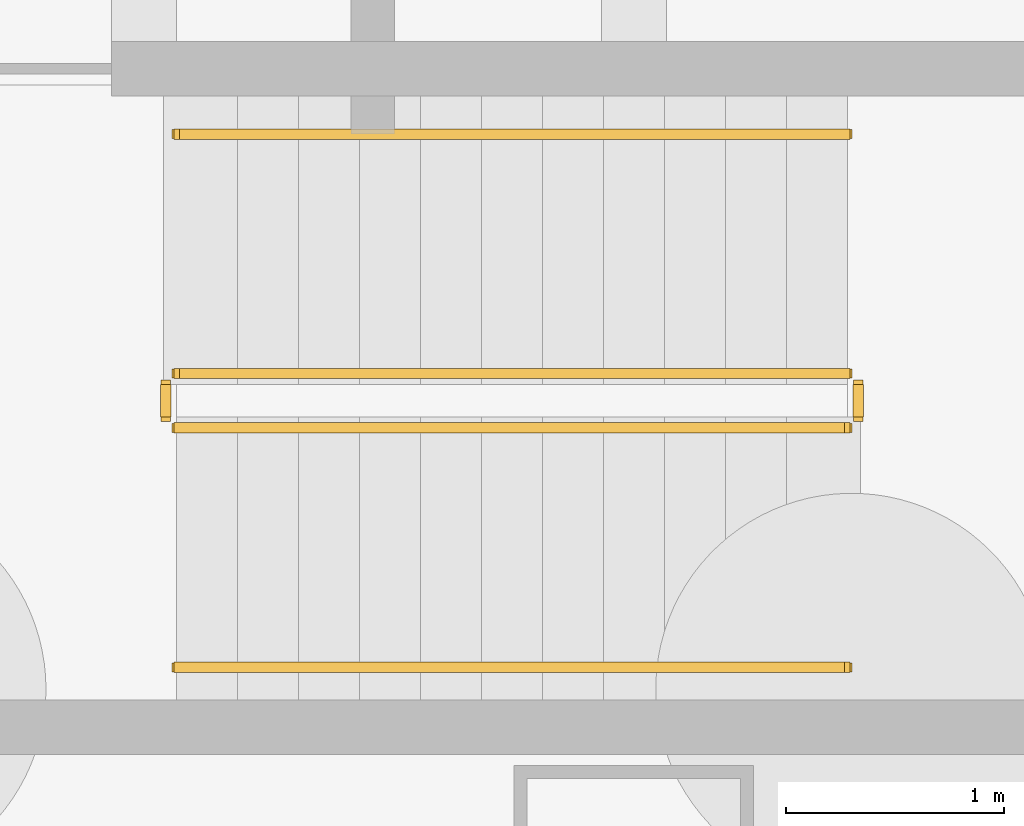
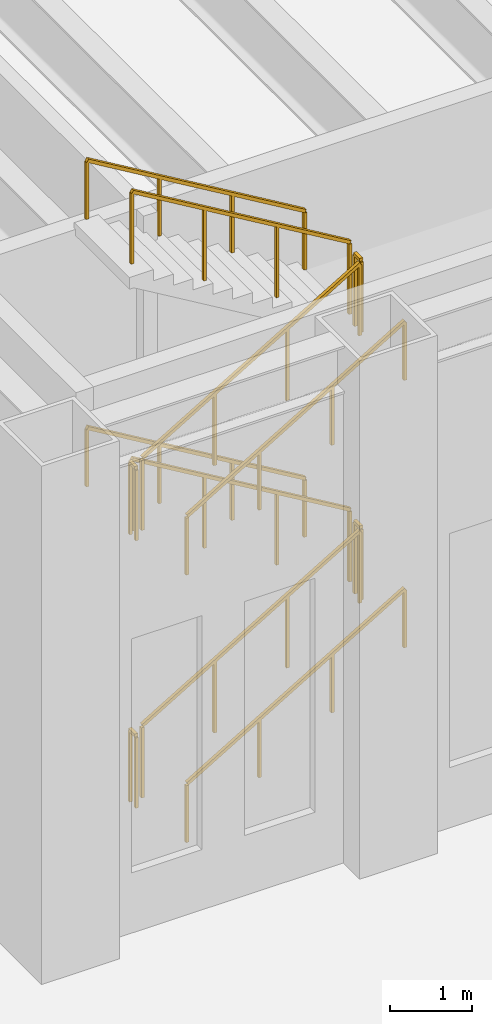
# One storey, part 17 of 26: 12 railings.
"""IFC4 building model written with IfcOpenShell, lengths in metres."""

from ifc_helpers import new_model, si_unit, direction, frame, origin, origin_2d, place, context, subcontext, project, spatial, rectangle, extrude, material, type_object, element, save


model = new_model("IFC4")

# Units and contexts
model_context = context("Model", 3, precision=1e-05, world=origin(), true_north=direction((0.0, 1.0)))
body_context = subcontext(model_context, "Body", "Model", "MODEL_VIEW")
ifc_project = project(units=[si_unit("LENGTHUNIT", "METRE"), si_unit("AREAUNIT", "SQUARE_METRE"), si_unit("VOLUMEUNIT", "CUBIC_METRE"), si_unit("PLANEANGLEUNIT", "RADIAN"), si_unit("MASSUNIT", "GRAM", prefix="KILO")], contexts=[model_context])

# Site, building, storey
site_placement = place(None, origin())
site = spatial("IfcSite", under=ifc_project, at=site_placement, CompositionType="ELEMENT")
building_placement = place(site_placement, origin())
building = spatial("IfcBuilding", under=site, at=building_placement, Name="Sennacour Bend Tower", CompositionType="ELEMENT")
storey_placement = place(building_placement, origin())
storey = spatial("IfcBuildingStorey", under=building, at=storey_placement, Name="L00", CompositionType="ELEMENT", Elevation=0.0)

# Railings
ifc_material = material(Name="Stainless steel", Category="steel")
railing_type_1 = type_object("IfcRailingType", Name="RL-GUARD-1100", PredefinedType="GUARDRAIL", material=ifc_material)
railing_1_placement = place(storey_placement, frame((2.39990234375, 2.10009765625, 0.166748046875)))
element("IfcRailing", 1, at=railing_1_placement, inside=storey, type_object=railing_type_1, Name="L00 SK1 stair guard 1", PredefinedType="GUARDRAIL", context=body_context, shape_type="SweptSolid", body=[
    extrude(rectangle(XDim=0.048095703125, YDim=0.048095703125, at=origin_2d()), frame((0.0, 0.0, 1.076171875), z_axis=(0.859308565015, 0.0, 0.511457515432), x_axis=(0.0, 1.0, 0.0)), (0.0, 0.0, 1.0), 3.58447265625),
    extrude(rectangle(XDim=0.0419921875, YDim=0.0419921875, at=origin_2d()), origin(), (0.0, 0.0, 1.0), 1.052001953125),
    extrude(rectangle(XDim=0.0419921875, YDim=0.0419921875, at=origin_2d()), frame((1.026611328125, 0.0, 0.611083984375)), (0.0, 0.0, 1.0), 1.052001953125),
    extrude(rectangle(XDim=0.0419921875, YDim=0.0419921875, at=origin_2d()), frame((2.053466796875, 0.0, 1.22216796875)), (0.0, 0.0, 1.0), 1.052001953125),
    extrude(rectangle(XDim=0.0419921875, YDim=0.0419921875, at=origin_2d()), frame((3.080078125, 0.0, 1.833251953125)), (0.0, 0.0, 1.0), 1.052001953125),
])
railing_2_placement = place(storey_placement, frame((5.530029296875, 2.14990234375, 2.0)))
element("IfcRailing", 2, at=railing_2_placement, inside=storey, type_object=railing_type_1, Name="L00 SK1 stair guard 2", PredefinedType="GUARDRAIL", context=body_context, shape_type="SweptSolid", body=[
    extrude(rectangle(XDim=0.048095703125, YDim=0.048095703125, at=origin_2d()), frame((0.0, 0.0, 1.076171875), z_axis=(0.0, 1.0, 0.0), x_axis=(-1.0, 0.0, 0.0)), (0.0, 0.0, 1.0), 0.150146484375),
    extrude(rectangle(XDim=0.0419921875, YDim=0.0419921875, at=origin_2d()), origin(), (0.0, 0.0, 1.0), 1.052001953125),
    extrude(rectangle(XDim=0.0419921875, YDim=0.0419921875, at=origin_2d()), frame((0.0, 0.150146484375, 0.0)), (0.0, 0.0, 1.0), 1.052001953125),
])
railing_3_placement = place(storey_placement, frame((5.47998046875, 2.35009765625, 2.166748046875)))
element("IfcRailing", 3, at=railing_3_placement, inside=storey, type_object=railing_type_1, Name="L00 SK1 stair guard 3", PredefinedType="GUARDRAIL", context=body_context, shape_type="SweptSolid", body=[
    extrude(rectangle(XDim=0.048095703125, YDim=0.048095703125, at=origin_2d()), frame((0.0, 0.0, 1.076171875), z_axis=(-0.859308565015, 0.0, 0.511457515432), x_axis=(0.0, -1.0, 0.0)), (0.0, 0.0, 1.0), 3.58447265625),
    extrude(rectangle(XDim=0.0419921875, YDim=0.0419921875, at=origin_2d()), origin(), (0.0, 0.0, 1.0), 1.052001953125),
    extrude(rectangle(XDim=0.0419921875, YDim=0.0419921875, at=origin_2d()), frame((-1.026611328125, 0.0, 0.611083984375)), (0.0, 0.0, 1.0), 1.052001953125),
    extrude(rectangle(XDim=0.0419921875, YDim=0.0419921875, at=origin_2d()), frame((-2.053466796875, 0.0, 1.22216796875)), (0.0, 0.0, 1.0), 1.052001953125),
    extrude(rectangle(XDim=0.0419921875, YDim=0.0419921875, at=origin_2d()), frame((-3.080078125, 0.0, 1.833251953125)), (0.0, 0.0, 1.0), 1.052001953125),
])
railing_4_placement = place(storey_placement, frame((2.35009765625, 2.14990234375, 4.0)))
element("IfcRailing", 4, at=railing_4_placement, inside=storey, type_object=railing_type_1, Name="L00 SK1 stair guard 4", PredefinedType="GUARDRAIL", context=body_context, shape_type="SweptSolid", body=[
    extrude(rectangle(XDim=0.048095703125, YDim=0.048095703125, at=origin_2d()), frame((0.0, 0.0, 1.076171875), z_axis=(0.0, 1.0, 0.0), x_axis=(-1.0, 0.0, 0.0)), (0.0, 0.0, 1.0), 0.150146484375),
    extrude(rectangle(XDim=0.0419921875, YDim=0.0419921875, at=origin_2d()), origin(), (0.0, 0.0, 1.0), 1.052001953125),
    extrude(rectangle(XDim=0.0419921875, YDim=0.0419921875, at=origin_2d()), frame((0.0, 0.150146484375, 0.0)), (0.0, 0.0, 1.0), 1.052001953125),
])
railing_5_placement = place(storey_placement, frame((2.39990234375, 2.10009765625, 4.166748046875)))
element("IfcRailing", 5, at=railing_5_placement, inside=storey, type_object=railing_type_1, Name="L00 SK1 stair guard 5", PredefinedType="GUARDRAIL", context=body_context, shape_type="SweptSolid", body=[
    extrude(rectangle(XDim=0.048095703125, YDim=0.048095703125, at=origin_2d()), frame((0.0, 0.0, 1.076171875), z_axis=(0.859308565015, 0.0, 0.511457515432), x_axis=(0.0, 1.0, 0.0)), (0.0, 0.0, 1.0), 3.58447265625),
    extrude(rectangle(XDim=0.0419921875, YDim=0.0419921875, at=origin_2d()), origin(), (0.0, 0.0, 1.0), 1.052001953125),
    extrude(rectangle(XDim=0.0419921875, YDim=0.0419921875, at=origin_2d()), frame((1.026611328125, 0.0, 0.611083984375)), (0.0, 0.0, 1.0), 1.052001953125),
    extrude(rectangle(XDim=0.0419921875, YDim=0.0419921875, at=origin_2d()), frame((2.053466796875, 0.0, 1.22216796875)), (0.0, 0.0, 1.0), 1.052001953125),
    extrude(rectangle(XDim=0.0419921875, YDim=0.0419921875, at=origin_2d()), frame((3.080078125, 0.0, 1.833251953125)), (0.0, 0.0, 1.0), 1.052001953125),
])
railing_6_placement = place(storey_placement, frame((5.530029296875, 2.14990234375, 6.0)))
element("IfcRailing", 6, at=railing_6_placement, inside=storey, type_object=railing_type_1, Name="L00 SK1 stair guard 6", PredefinedType="GUARDRAIL", context=body_context, shape_type="SweptSolid", body=[
    extrude(rectangle(XDim=0.048095703125, YDim=0.048095703125, at=origin_2d()), frame((0.0, 0.0, 1.076171875), z_axis=(0.0, 1.0, 0.0), x_axis=(-1.0, 0.0, 0.0)), (0.0, 0.0, 1.0), 0.150146484375),
    extrude(rectangle(XDim=0.0419921875, YDim=0.0419921875, at=origin_2d()), origin(), (0.0, 0.0, 1.0), 1.052001953125),
    extrude(rectangle(XDim=0.0419921875, YDim=0.0419921875, at=origin_2d()), frame((0.0, 0.150146484375, 0.0)), (0.0, 0.0, 1.0), 1.052001953125),
])
railing_7_placement = place(storey_placement, frame((5.47998046875, 2.35009765625, 6.166748046875)))
element("IfcRailing", 7, at=railing_7_placement, inside=storey, type_object=railing_type_1, Name="L00 SK1 stair guard 7", PredefinedType="GUARDRAIL", context=body_context, shape_type="SweptSolid", body=[
    extrude(rectangle(XDim=0.048095703125, YDim=0.048095703125, at=origin_2d()), frame((0.0, 0.0, 1.076171875), z_axis=(-0.859308565015, 0.0, 0.511457515432), x_axis=(0.0, -1.0, 0.0)), (0.0, 0.0, 1.0), 3.58447265625),
    extrude(rectangle(XDim=0.0419921875, YDim=0.0419921875, at=origin_2d()), origin(), (0.0, 0.0, 1.0), 1.052001953125),
    extrude(rectangle(XDim=0.0419921875, YDim=0.0419921875, at=origin_2d()), frame((-1.026611328125, 0.0, 0.611083984375)), (0.0, 0.0, 1.0), 1.052001953125),
    extrude(rectangle(XDim=0.0419921875, YDim=0.0419921875, at=origin_2d()), frame((-2.053466796875, 0.0, 1.22216796875)), (0.0, 0.0, 1.0), 1.052001953125),
    extrude(rectangle(XDim=0.0419921875, YDim=0.0419921875, at=origin_2d()), frame((-3.080078125, 0.0, 1.833251953125)), (0.0, 0.0, 1.0), 1.052001953125),
])
railing_8_placement = place(storey_placement, frame((2.35009765625, 2.14990234375, 0.0)))
element("IfcRailing", 8, at=railing_8_placement, inside=storey, type_object=railing_type_1, Name="L00 SK1 stair guard 8", PredefinedType="GUARDRAIL", context=body_context, shape_type="SweptSolid", body=[
    extrude(rectangle(XDim=0.048095703125, YDim=0.048095703125, at=origin_2d()), frame((0.0, 0.0, 1.076171875), z_axis=(0.0, 1.0, 0.0), x_axis=(-1.0, 0.0, 0.0)), (0.0, 0.0, 1.0), 0.150146484375),
    extrude(rectangle(XDim=0.0419921875, YDim=0.0419921875, at=origin_2d()), origin(), (0.0, 0.0, 1.0), 1.052001953125),
    extrude(rectangle(XDim=0.0419921875, YDim=0.0419921875, at=origin_2d()), frame((0.0, 0.150146484375, 0.0)), (0.0, 0.0, 1.0), 1.052001953125),
])
railing_type_2 = type_object("IfcRailingType", Name="RL-HANDRAIL-900", PredefinedType="HANDRAIL", material=ifc_material)
railing_9_placement = place(storey_placement, frame((2.39990234375, 1.0, 0.166748046875)))
element("IfcRailing", 9, at=railing_9_placement, inside=storey, type_object=railing_type_2, Name="L00 SK1 stair handrail 1", PredefinedType="HANDRAIL", context=body_context, shape_type="SweptSolid", body=[
    extrude(rectangle(XDim=0.048095703125, YDim=0.048095703125, at=origin_2d()), frame((0.0, 0.0, 0.8759765625), z_axis=(0.859308565015, 0.0, 0.511457515432), x_axis=(0.0, 1.0, 0.0)), (0.0, 0.0, 1.0), 3.58447265625),
    extrude(rectangle(XDim=0.0419921875, YDim=0.0419921875, at=origin_2d()), origin(), (0.0, 0.0, 1.0), 0.851806640625),
    extrude(rectangle(XDim=0.0419921875, YDim=0.0419921875, at=origin_2d()), frame((1.026611328125, 0.0, 0.611083984375)), (0.0, 0.0, 1.0), 0.851806640625),
    extrude(rectangle(XDim=0.0419921875, YDim=0.0419921875, at=origin_2d()), frame((2.053466796875, 0.0, 1.22216796875)), (0.0, 0.0, 1.0), 0.851806640625),
    extrude(rectangle(XDim=0.0419921875, YDim=0.0419921875, at=origin_2d()), frame((3.080078125, 0.0, 1.833251953125)), (0.0, 0.0, 1.0), 0.851806640625),
])
railing_10_placement = place(storey_placement, frame((5.47998046875, 3.449951171875, 2.166748046875)))
element("IfcRailing", 10, at=railing_10_placement, inside=storey, type_object=railing_type_2, Name="L00 SK1 stair handrail 2", PredefinedType="HANDRAIL", context=body_context, shape_type="SweptSolid", body=[
    extrude(rectangle(XDim=0.048095703125, YDim=0.048095703125, at=origin_2d()), frame((0.0, 0.0, 0.8759765625), z_axis=(-0.859308565015, 0.0, 0.511457515432), x_axis=(0.0, -1.0, 0.0)), (0.0, 0.0, 1.0), 3.58447265625),
    extrude(rectangle(XDim=0.0419921875, YDim=0.0419921875, at=origin_2d()), origin(), (0.0, 0.0, 1.0), 0.851806640625),
    extrude(rectangle(XDim=0.0419921875, YDim=0.0419921875, at=origin_2d()), frame((-1.026611328125, 0.0, 0.611083984375)), (0.0, 0.0, 1.0), 0.851806640625),
    extrude(rectangle(XDim=0.0419921875, YDim=0.0419921875, at=origin_2d()), frame((-2.053466796875, 0.0, 1.22216796875)), (0.0, 0.0, 1.0), 0.851806640625),
    extrude(rectangle(XDim=0.0419921875, YDim=0.0419921875, at=origin_2d()), frame((-3.080078125, 0.0, 1.833251953125)), (0.0, 0.0, 1.0), 0.851806640625),
])
railing_11_placement = place(storey_placement, frame((2.39990234375, 1.0, 4.166748046875)))
element("IfcRailing", 11, at=railing_11_placement, inside=storey, type_object=railing_type_2, Name="L00 SK1 stair handrail 3", PredefinedType="HANDRAIL", context=body_context, shape_type="SweptSolid", body=[
    extrude(rectangle(XDim=0.048095703125, YDim=0.048095703125, at=origin_2d()), frame((0.0, 0.0, 0.8759765625), z_axis=(0.859308565015, 0.0, 0.511457515432), x_axis=(0.0, 1.0, 0.0)), (0.0, 0.0, 1.0), 3.58447265625),
    extrude(rectangle(XDim=0.0419921875, YDim=0.0419921875, at=origin_2d()), origin(), (0.0, 0.0, 1.0), 0.851806640625),
    extrude(rectangle(XDim=0.0419921875, YDim=0.0419921875, at=origin_2d()), frame((1.026611328125, 0.0, 0.611083984375)), (0.0, 0.0, 1.0), 0.851806640625),
    extrude(rectangle(XDim=0.0419921875, YDim=0.0419921875, at=origin_2d()), frame((2.053466796875, 0.0, 1.22216796875)), (0.0, 0.0, 1.0), 0.851806640625),
    extrude(rectangle(XDim=0.0419921875, YDim=0.0419921875, at=origin_2d()), frame((3.080078125, 0.0, 1.833251953125)), (0.0, 0.0, 1.0), 0.851806640625),
])
railing_12_placement = place(storey_placement, frame((5.47998046875, 3.449951171875, 6.166748046875)))
element("IfcRailing", 12, at=railing_12_placement, inside=storey, type_object=railing_type_2, Name="L00 SK1 stair handrail 4", PredefinedType="HANDRAIL", context=body_context, shape_type="SweptSolid", body=[
    extrude(rectangle(XDim=0.048095703125, YDim=0.048095703125, at=origin_2d()), frame((0.0, 0.0, 0.8759765625), z_axis=(-0.859308565015, 0.0, 0.511457515432), x_axis=(0.0, -1.0, 0.0)), (0.0, 0.0, 1.0), 3.58447265625),
    extrude(rectangle(XDim=0.0419921875, YDim=0.0419921875, at=origin_2d()), origin(), (0.0, 0.0, 1.0), 0.851806640625),
    extrude(rectangle(XDim=0.0419921875, YDim=0.0419921875, at=origin_2d()), frame((-1.026611328125, 0.0, 0.611083984375)), (0.0, 0.0, 1.0), 0.851806640625),
    extrude(rectangle(XDim=0.0419921875, YDim=0.0419921875, at=origin_2d()), frame((-2.053466796875, 0.0, 1.22216796875)), (0.0, 0.0, 1.0), 0.851806640625),
    extrude(rectangle(XDim=0.0419921875, YDim=0.0419921875, at=origin_2d()), frame((-3.080078125, 0.0, 1.833251953125)), (0.0, 0.0, 1.0), 0.851806640625),
])

save(model, "model.ifc")
